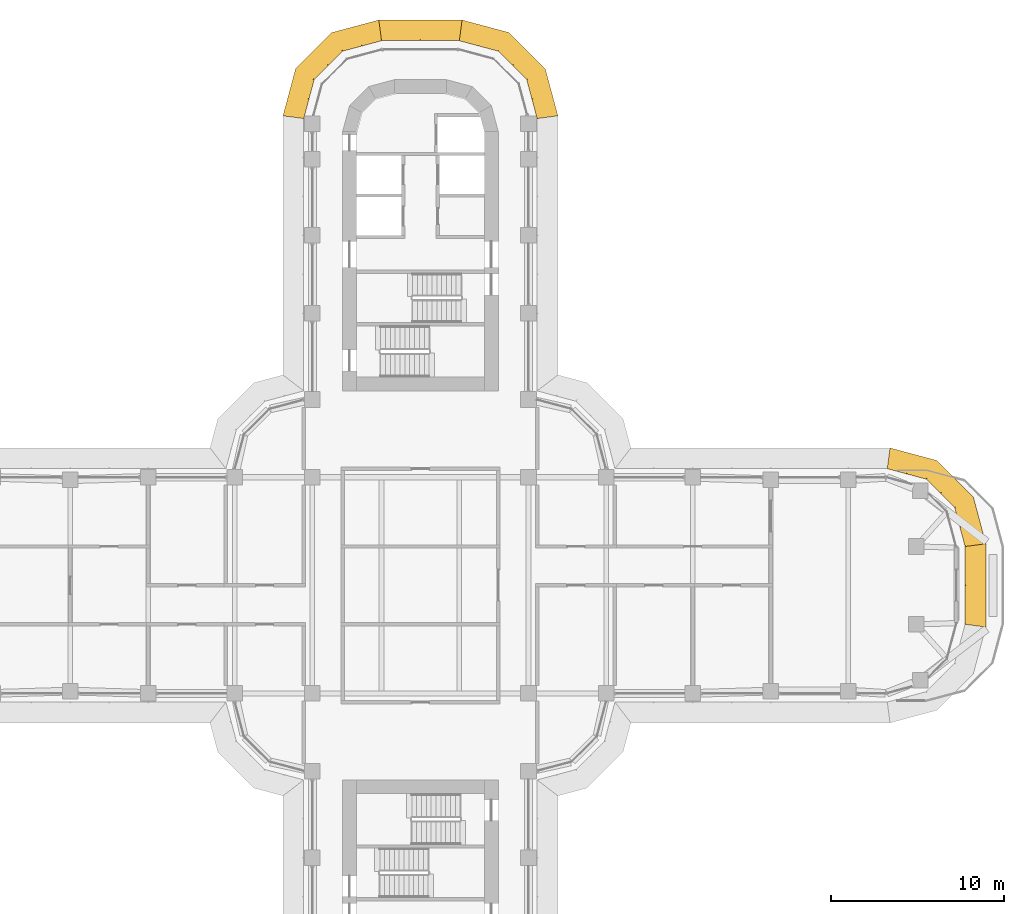
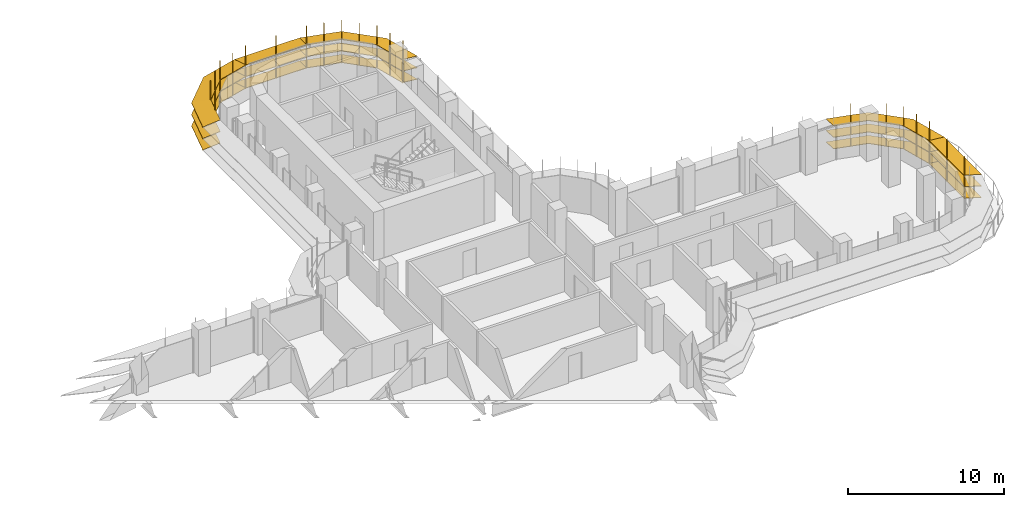
# One storey, part 22 of 22: 5 shading devices.
"""IFC4 building model written with IfcOpenShell, lengths in metres."""

from ifc_helpers import new_model, si_unit, direction, frame, origin, place, context, subcontext, project, spatial, polyline, outline, extrude, faceted_brep, source, transform, mapped, material, type_object, element, save


model = new_model("IFC4")

# Units and contexts
model_context = context("Model", 3, precision=1e-05, world=origin(), true_north=direction((0.0, 1.0)))
body_context = subcontext(model_context, "Body", "Model", "MODEL_VIEW")
ifc_project = project(units=[si_unit("LENGTHUNIT", "METRE"), si_unit("AREAUNIT", "SQUARE_METRE"), si_unit("VOLUMEUNIT", "CUBIC_METRE"), si_unit("PLANEANGLEUNIT", "RADIAN"), si_unit("MASSUNIT", "GRAM", prefix="KILO")], contexts=[model_context])

# Site, building, storey
site_placement = place(None, origin())
site = spatial("IfcSite", under=ifc_project, at=site_placement, CompositionType="ELEMENT")
building_placement = place(site_placement, origin())
building = spatial("IfcBuilding", under=site, at=building_placement, Name="Zarbagh Exchange Tower", CompositionType="ELEMENT")
storey_placement = place(building_placement, frame((0.0, 0.0, 124.60009765625)))
storey = spatial("IfcBuildingStorey", under=building, at=storey_placement, Name="L29", CompositionType="ELEMENT", Elevation=124.60009765625)

# Shading devices
ifc_material = material(Name="Anodised aluminium blades and brackets", Category="aluminium")
shading_device_type = type_object("IfcShadingDeviceType", Name="SUNSHADE louvre band, 11.25 degree blades", PredefinedType="JALOUSIE", material=ifc_material)
shared_shape_1 = source(origin(), body_context, "Body", "Brep", [
    faceted_brep([(0.0, 0.0, 0.0), (0.0, 0.0, -0.040771484375), (-0.157958984375, -1.199951171875, -0.279541015625), (-0.157958984375, -1.199951171875, -0.23876953125), (2.65087890625, -1.199951171875, -0.23876953125), (2.65087890625, -1.199951171875, -0.279541015625), (2.329345703125, 0.0, -0.040771484375), (2.329345703125, 0.0, 0.0)], [[[0, 1, 2, 3]], [[4, 5, 6, 7]], [[0, 7, 6, 1]], [[1, 6, 5, 2]], [[2, 5, 4, 3]], [[3, 4, 7, 0]]]),
])
shared_shape_2 = source(origin(), body_context, "Body", "Brep", [
    faceted_brep([(0.0, 0.0, 0.0), (0.0, 0.0, -0.040771484375), (-0.321533203125, -1.199951171875, -0.279541015625), (-0.321533203125, -1.199951171875, -0.23876953125), (2.65087890625, -1.199951171875, -0.23876953125), (2.65087890625, -1.199951171875, -0.279541015625), (2.329345703125, 0.0, -0.040771484375), (2.329345703125, 0.0, 0.0)], [[[0, 1, 2, 3]], [[4, 5, 6, 7]], [[0, 7, 6, 1]], [[1, 6, 5, 2]], [[2, 5, 4, 3]], [[3, 4, 7, 0]]]),
])
shared_shape_3 = source(origin(), body_context, "Body", "Brep", [
    faceted_brep([(0.0, 0.0, 0.0), (0.0, 0.0, -0.040771484375), (-0.321533203125, -1.199951171875, -0.279541015625), (-0.321533203125, -1.199951171875, -0.23876953125), (2.4873046875, -1.199951171875, -0.23876953125), (2.4873046875, -1.199951171875, -0.279541015625), (2.329345703125, 0.0, -0.040771484375), (2.329345703125, 0.0, 0.0)], [[[0, 1, 2, 3]], [[4, 5, 6, 7]], [[0, 7, 6, 1]], [[1, 6, 5, 2]], [[2, 5, 4, 3]], [[3, 4, 7, 0]]]),
])
shared_shape_4 = source(origin(), body_context, "Body", "SweptSolid", [
    extrude(outline(polyline([(0.0, -0.012451171875), (0.06005859375, -0.012451171875), (0.06005859375, 0.012451171875), (0.0, 0.012451171875), (0.0, -0.012451171875)])), origin(), (0.0, 0.0, 1.0), 3.350830078125),
])
placement = place(storey_placement, origin())
element("IfcShadingDevice", 1, at=placement, inside=storey, type_object=shading_device_type, Name="SS33 sunshade band", PredefinedType="JALOUSIE", context=body_context, shape_type="MappedRepresentation", body=[
    mapped(shared_shape_1, transform((31.5, 2.25, 2.2998046875), x_axis=(-0.258824779902, 0.965924289636, 0.0), y_axis=(-0.965924289636, -0.258824779902, 0.0), z_axis=(0.0, 0.0, 1.0))),
    mapped(shared_shape_1, transform((31.5, 2.25, 1.39990234375), x_axis=(-0.258824779902, 0.965924289636, 0.0), y_axis=(-0.965924289636, -0.258824779902, 0.0), z_axis=(0.0, 0.0, 1.0))),
    mapped(shared_shape_1, transform((31.5, 2.25, 0.5), x_axis=(-0.258824779902, 0.965924289636, 0.0), y_axis=(-0.965924289636, -0.258824779902, 0.0), z_axis=(0.0, 0.0, 1.0))),
    mapped(shared_shape_2, transform((30.897216796875, 4.5, 2.2998046875), x_axis=(-0.707106781187, 0.707106781187, 0.0), y_axis=(-0.707106781187, -0.707106781187, 0.0), z_axis=(0.0, 0.0, 1.0))),
    mapped(shared_shape_2, transform((30.897216796875, 4.5, 1.39990234375), x_axis=(-0.707106781187, 0.707106781187, 0.0), y_axis=(-0.707106781187, -0.707106781187, 0.0), z_axis=(0.0, 0.0, 1.0))),
    mapped(shared_shape_2, transform((30.897216796875, 4.5, 0.5), x_axis=(-0.707106781187, 0.707106781187, 0.0), y_axis=(-0.707106781187, -0.707106781187, 0.0), z_axis=(0.0, 0.0, 1.0))),
    mapped(shared_shape_3, transform((29.25, 6.147216796875, 2.2998046875), x_axis=(-0.965924289636, 0.258824779902, 0.0), y_axis=(-0.258824779902, -0.965924289636, 0.0), z_axis=(0.0, 0.0, 1.0))),
    mapped(shared_shape_3, transform((29.25, 6.147216796875, 1.39990234375), x_axis=(-0.965924289636, 0.258824779902, 0.0), y_axis=(-0.258824779902, -0.965924289636, 0.0), z_axis=(0.0, 0.0, 1.0))),
    mapped(shared_shape_3, transform((29.25, 6.147216796875, 0.5), x_axis=(-0.965924289636, 0.258824779902, 0.0), y_axis=(-0.258824779902, -0.965924289636, 0.0), z_axis=(0.0, 0.0, 1.0))),
    mapped(shared_shape_4, transform((31.5, 2.25, 0.42919921875), x_axis=(0.991444457092, 0.130529263012, 0.0), y_axis=(-0.130529263012, 0.991444457092, 0.0), z_axis=(0.0, 0.0, 1.0))),
    mapped(shared_shape_4, transform((31.198486328125, 3.375, 0.42919921875), x_axis=(0.96592421511, 0.258825058029, 0.0), y_axis=(-0.258825058029, 0.96592421511, 0.0), z_axis=(0.0, 0.0, 1.0))),
    mapped(shared_shape_4, transform((30.897216796875, 4.5, 0.42919921875), x_axis=(0.866023812018, 0.50000275701, 0.0), y_axis=(-0.50000275701, 0.866023812018, 0.0), z_axis=(0.0, 0.0, 1.0))),
    mapped(shared_shape_4, transform((30.073486328125, 5.323486328125, 0.42919921875), x_axis=(0.707106781187, 0.707106781187, 0.0), y_axis=(-0.707106781187, 0.707106781187, 0.0), z_axis=(0.0, 0.0, 1.0))),
    mapped(shared_shape_4, transform((29.25, 6.147216796875, 0.42919921875), x_axis=(0.50000275701, 0.866023812018, 0.0), y_axis=(-0.866023812018, 0.50000275701, 0.0), z_axis=(0.0, 0.0, 1.0))),
    mapped(shared_shape_4, transform((28.125, 6.448486328125, 0.42919921875), x_axis=(0.258825058029, 0.96592421511, 0.0), y_axis=(-0.96592421511, 0.258825058029, 0.0), z_axis=(0.0, 0.0, 1.0))),
])
element("IfcShadingDevice", 2, at=placement, inside=storey, type_object=shading_device_type, Name="SS26 sunshade band", PredefinedType="JALOUSIE", context=body_context, shape_type="MappedRepresentation", body=[
    mapped(shared_shape_1, transform((6.75, 27.0, 2.2998046875), x_axis=(-0.258824779902, 0.965924289636, 0.0), y_axis=(-0.965924289636, -0.258824779902, 0.0), z_axis=(0.0, 0.0, 1.0))),
    mapped(shared_shape_1, transform((6.75, 27.0, 1.39990234375), x_axis=(-0.258824779902, 0.965924289636, 0.0), y_axis=(-0.965924289636, -0.258824779902, 0.0), z_axis=(0.0, 0.0, 1.0))),
    mapped(shared_shape_1, transform((6.75, 27.0, 0.5), x_axis=(-0.258824779902, 0.965924289636, 0.0), y_axis=(-0.965924289636, -0.258824779902, 0.0), z_axis=(0.0, 0.0, 1.0))),
    mapped(shared_shape_2, transform((6.147216796875, 29.25, 2.2998046875), x_axis=(-0.707106781187, 0.707106781187, 0.0), y_axis=(-0.707106781187, -0.707106781187, 0.0), z_axis=(0.0, 0.0, 1.0))),
    mapped(shared_shape_2, transform((6.147216796875, 29.25, 1.39990234375), x_axis=(-0.707106781187, 0.707106781187, 0.0), y_axis=(-0.707106781187, -0.707106781187, 0.0), z_axis=(0.0, 0.0, 1.0))),
    mapped(shared_shape_2, transform((6.147216796875, 29.25, 0.5), x_axis=(-0.707106781187, 0.707106781187, 0.0), y_axis=(-0.707106781187, -0.707106781187, 0.0), z_axis=(0.0, 0.0, 1.0))),
    mapped(shared_shape_3, transform((4.5, 30.897216796875, 2.2998046875), x_axis=(-0.965924289636, 0.258824779902, 0.0), y_axis=(-0.258824779902, -0.965924289636, 0.0), z_axis=(0.0, 0.0, 1.0))),
    mapped(shared_shape_3, transform((4.5, 30.897216796875, 1.39990234375), x_axis=(-0.965924289636, 0.258824779902, 0.0), y_axis=(-0.258824779902, -0.965924289636, 0.0), z_axis=(0.0, 0.0, 1.0))),
    mapped(shared_shape_3, transform((4.5, 30.897216796875, 0.5), x_axis=(-0.965924289636, 0.258824779902, 0.0), y_axis=(-0.258824779902, -0.965924289636, 0.0), z_axis=(0.0, 0.0, 1.0))),
    mapped(shared_shape_4, transform((6.75, 27.0, 0.42919921875), x_axis=(0.991444457092, 0.130529263012, 0.0), y_axis=(-0.130529263012, 0.991444457092, 0.0), z_axis=(0.0, 0.0, 1.0))),
    mapped(shared_shape_4, transform((6.448486328125, 28.125, 0.42919921875), x_axis=(0.96592421511, 0.258825058029, 0.0), y_axis=(-0.258825058029, 0.96592421511, 0.0), z_axis=(0.0, 0.0, 1.0))),
    mapped(shared_shape_4, transform((6.147216796875, 29.25, 0.42919921875), x_axis=(0.866023812018, 0.50000275701, 0.0), y_axis=(-0.50000275701, 0.866023812018, 0.0), z_axis=(0.0, 0.0, 1.0))),
    mapped(shared_shape_4, transform((5.323486328125, 30.073486328125, 0.42919921875), x_axis=(0.707106781187, 0.707106781187, 0.0), y_axis=(-0.707106781187, 0.707106781187, 0.0), z_axis=(0.0, 0.0, 1.0))),
    mapped(shared_shape_4, transform((4.5, 30.897216796875, 0.42919921875), x_axis=(0.50000275701, 0.866023812018, 0.0), y_axis=(-0.866023812018, 0.50000275701, 0.0), z_axis=(0.0, 0.0, 1.0))),
    mapped(shared_shape_4, transform((3.375, 31.198486328125, 0.42919921875), x_axis=(0.258825058029, 0.96592421511, 0.0), y_axis=(-0.96592421511, 0.258825058029, 0.0), z_axis=(0.0, 0.0, 1.0))),
])
element("IfcShadingDevice", 3, at=placement, inside=storey, type_object=shading_device_type, Name="SS28 sunshade band", PredefinedType="JALOUSIE", context=body_context, shape_type="MappedRepresentation", body=[
    mapped(shared_shape_1, transform((-2.25, 31.5, 2.2998046875), x_axis=(-0.965924289636, -0.258824779902, 0.0), y_axis=(0.258824779902, -0.965924289636, 0.0), z_axis=(0.0, 0.0, 1.0))),
    mapped(shared_shape_1, transform((-2.25, 31.5, 1.39990234375), x_axis=(-0.965924289636, -0.258824779902, 0.0), y_axis=(0.258824779902, -0.965924289636, 0.0), z_axis=(0.0, 0.0, 1.0))),
    mapped(shared_shape_1, transform((-2.25, 31.5, 0.5), x_axis=(-0.965924289636, -0.258824779902, 0.0), y_axis=(0.258824779902, -0.965924289636, 0.0), z_axis=(0.0, 0.0, 1.0))),
    mapped(shared_shape_2, transform((-4.5, 30.897216796875, 2.2998046875), x_axis=(-0.707106781187, -0.707106781187, 0.0), y_axis=(0.707106781187, -0.707106781187, 0.0), z_axis=(0.0, 0.0, 1.0))),
    mapped(shared_shape_2, transform((-4.5, 30.897216796875, 1.39990234375), x_axis=(-0.707106781187, -0.707106781187, 0.0), y_axis=(0.707106781187, -0.707106781187, 0.0), z_axis=(0.0, 0.0, 1.0))),
    mapped(shared_shape_2, transform((-4.5, 30.897216796875, 0.5), x_axis=(-0.707106781187, -0.707106781187, 0.0), y_axis=(0.707106781187, -0.707106781187, 0.0), z_axis=(0.0, 0.0, 1.0))),
    mapped(shared_shape_3, transform((-6.147216796875, 29.25, 2.2998046875), x_axis=(-0.258824779902, -0.965924289636, 0.0), y_axis=(0.965924289636, -0.258824779902, 0.0), z_axis=(0.0, 0.0, 1.0))),
    mapped(shared_shape_3, transform((-6.147216796875, 29.25, 1.39990234375), x_axis=(-0.258824779902, -0.965924289636, 0.0), y_axis=(0.965924289636, -0.258824779902, 0.0), z_axis=(0.0, 0.0, 1.0))),
    mapped(shared_shape_3, transform((-6.147216796875, 29.25, 0.5), x_axis=(-0.258824779902, -0.965924289636, 0.0), y_axis=(0.965924289636, -0.258824779902, 0.0), z_axis=(0.0, 0.0, 1.0))),
    mapped(shared_shape_4, transform((-2.25, 31.5, 0.42919921875), x_axis=(-0.130529263012, 0.991444457092, 0.0), y_axis=(-0.991444457092, -0.130529263012, 0.0), z_axis=(0.0, 0.0, 1.0))),
    mapped(shared_shape_4, transform((-3.375, 31.198486328125, 0.42919921875), x_axis=(-0.258825058029, 0.96592421511, 0.0), y_axis=(-0.96592421511, -0.258825058029, 0.0), z_axis=(0.0, 0.0, 1.0))),
    mapped(shared_shape_4, transform((-4.5, 30.897216796875, 0.42919921875), x_axis=(-0.50000275701, 0.866023812018, 0.0), y_axis=(-0.866023812018, -0.50000275701, 0.0), z_axis=(0.0, 0.0, 1.0))),
    mapped(shared_shape_4, transform((-5.323486328125, 30.073486328125, 0.42919921875), x_axis=(-0.707106781187, 0.707106781187, 0.0), y_axis=(-0.707106781187, -0.707106781187, 0.0), z_axis=(0.0, 0.0, 1.0))),
    mapped(shared_shape_4, transform((-6.147216796875, 29.25, 0.42919921875), x_axis=(-0.866023812018, 0.50000275701, 0.0), y_axis=(-0.50000275701, -0.866023812018, 0.0), z_axis=(0.0, 0.0, 1.0))),
    mapped(shared_shape_4, transform((-6.448486328125, 28.125, 0.42919921875), x_axis=(-0.96592421511, 0.258825058029, 0.0), y_axis=(-0.258825058029, -0.96592421511, 0.0), z_axis=(0.0, 0.0, 1.0))),
])
shared_shape_5 = source(origin(), body_context, "Body", "Brep", [
    faceted_brep([(0.0, 0.0, 0.0), (0.0, 0.0, -0.040771484375), (-0.157958984375, -1.199951171875, -0.279541015625), (-0.157958984375, -1.199951171875, -0.23876953125), (4.657958984375, -1.199951171875, -0.23876953125), (4.657958984375, -1.199951171875, -0.279541015625), (4.5, 0.0, -0.040771484375), (4.5, 0.0, 0.0)], [[[0, 1, 2, 3]], [[4, 5, 6, 7]], [[0, 7, 6, 1]], [[1, 6, 5, 2]], [[2, 5, 4, 3]], [[3, 4, 7, 0]]]),
])
element("IfcShadingDevice", 4, at=placement, inside=storey, type_object=shading_device_type, Name="SS32 sunshade band", PredefinedType="JALOUSIE", context=body_context, shape_type="MappedRepresentation", body=[
    mapped(shared_shape_5, transform((31.5, -2.25, 2.2998046875), x_axis=(0.0, 1.0, 0.0), y_axis=(-1.0, 0.0, 0.0), z_axis=(0.0, 0.0, 1.0))),
    mapped(shared_shape_5, transform((31.5, -2.25, 1.39990234375), x_axis=(0.0, 1.0, 0.0), y_axis=(-1.0, 0.0, 0.0), z_axis=(0.0, 0.0, 1.0))),
    mapped(shared_shape_5, transform((31.5, -2.25, 0.5), x_axis=(0.0, 1.0, 0.0), y_axis=(-1.0, 0.0, 0.0), z_axis=(0.0, 0.0, 1.0))),
    mapped(shared_shape_4, transform((31.5, -2.25, 0.42919921875), x_axis=(0.991444457092, -0.130529263012, 0.0), y_axis=(0.130529263012, 0.991444457092, 0.0), z_axis=(0.0, 0.0, 1.0))),
    mapped(shared_shape_4, transform((31.5, 0.0, 0.42919921875), x_axis=(1.0, 0.0, 0.0), y_axis=(0.0, 1.0, 0.0), z_axis=(0.0, 0.0, 1.0))),
])
element("IfcShadingDevice", 5, at=placement, inside=storey, type_object=shading_device_type, Name="SS27 sunshade band", PredefinedType="JALOUSIE", context=body_context, shape_type="MappedRepresentation", body=[
    mapped(shared_shape_5, transform((2.25, 31.5, 2.2998046875), x_axis=(-1.0, 0.0, 0.0), y_axis=(0.0, -1.0, 0.0), z_axis=(0.0, 0.0, 1.0))),
    mapped(shared_shape_5, transform((2.25, 31.5, 1.39990234375), x_axis=(-1.0, 0.0, 0.0), y_axis=(0.0, -1.0, 0.0), z_axis=(0.0, 0.0, 1.0))),
    mapped(shared_shape_5, transform((2.25, 31.5, 0.5), x_axis=(-1.0, 0.0, 0.0), y_axis=(0.0, -1.0, 0.0), z_axis=(0.0, 0.0, 1.0))),
    mapped(shared_shape_4, transform((2.25, 31.5, 0.42919921875), x_axis=(0.130529263012, 0.991444457092, 0.0), y_axis=(-0.991444457092, 0.130529263012, 0.0), z_axis=(0.0, 0.0, 1.0))),
    mapped(shared_shape_4, transform((0.0, 31.5, 0.42919921875), x_axis=(0.0, 1.0, 0.0), y_axis=(-1.0, 0.0, 0.0), z_axis=(0.0, 0.0, 1.0))),
])

save(model, "model.ifc")
